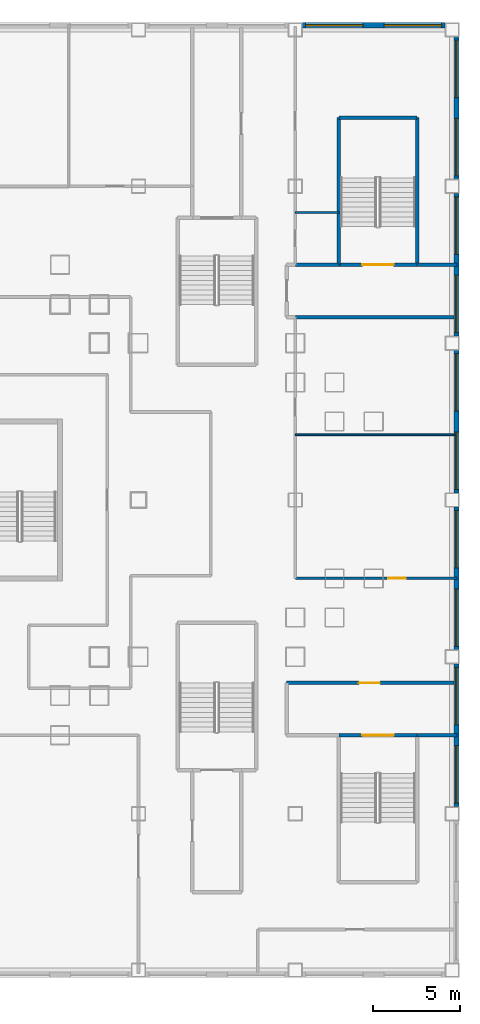
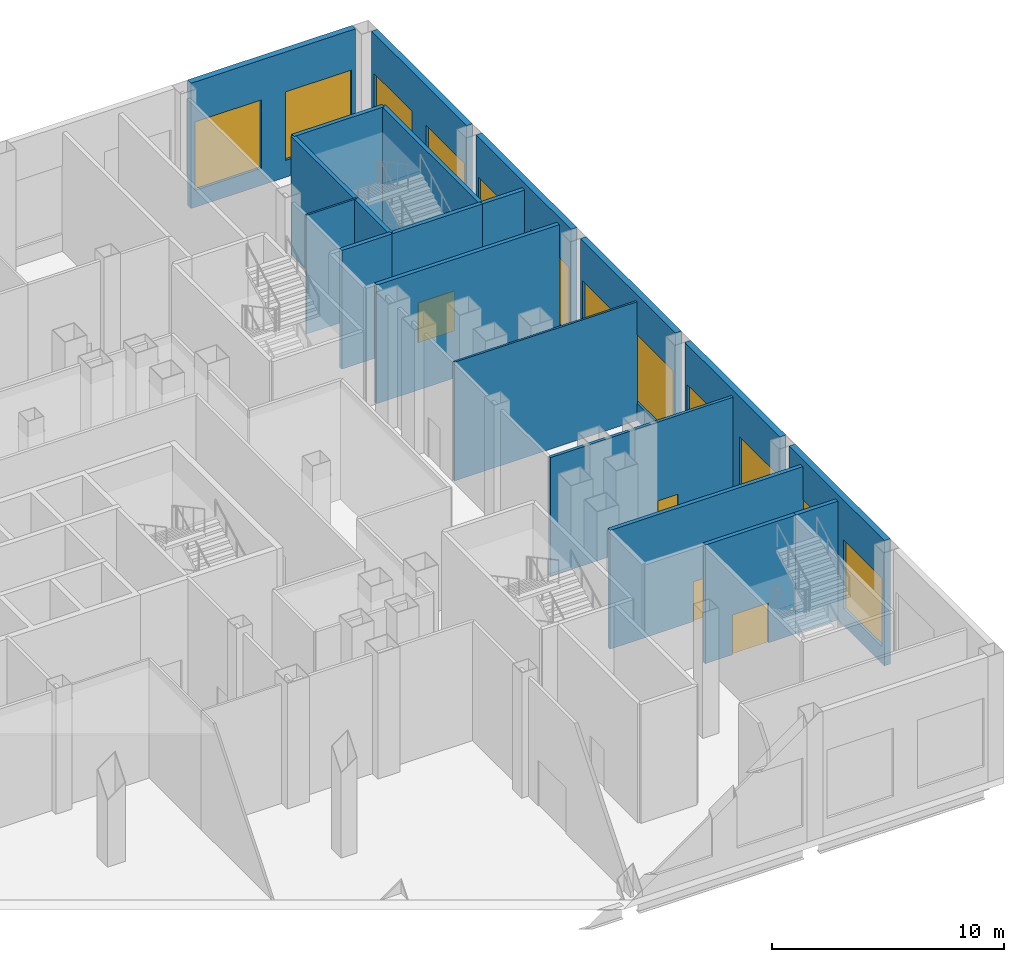
# One storey, part 8 of 26: 20 walls, 12 windows, 4 doors, 16 openings.
"""IFC4 building model written with IfcOpenShell, lengths in metres."""

import ifcopenshell
import ifcopenshell.guid

model = None  # the IFC model being written
_history = None  # IfcOwnerHistory: only IFC2X3 demands one
_inside = {}  # id of a spatial element -> (the spatial element, [elements in it])
_under = {}  # id of a project, library or spatial element -> (it, [spatial elements below it])
_declared = {}  # id of a project -> (the project, [libraries it declares])
_typed = {}  # id of a type object -> (the type object, [elements of that type])
_made_of = {}  # id of a material, layer set ... -> (it, [elements and type objects made of it])


def new_model(schema):
    """Start an empty IFC model of exactly this schema.

    Asked for "IFC4X3", IfcOpenShell would pick the latest addendum, in which some entities
    have other attributes; the version numbers below select the first issue.
    IFC2X3 requires an IfcOwnerHistory on every rooted entity: one is made here for all.
    """
    global model, _history
    if schema == "IFC4X3":
        model = ifcopenshell.file(schema_version=(4, 3, 0, 0))
    else:
        model = ifcopenshell.file(schema=schema)
    _inside.clear()
    _under.clear()
    _declared.clear()
    _typed.clear()
    _made_of.clear()
    _history = None
    if model.schema == "IFC2X3":
        org = make("IfcOrganization", Name="unknown")
        user = make(
            "IfcPersonAndOrganization",
            ThePerson=make("IfcPerson", FamilyName="unknown"),
            TheOrganization=org,
        )
        app = make(
            "IfcApplication",
            ApplicationDeveloper=org,
            Version="unknown",
            ApplicationFullName="unknown",
            ApplicationIdentifier="unknown",
        )
        _history = make(
            "IfcOwnerHistory",
            OwningUser=user,
            OwningApplication=app,
            ChangeAction="ADDED",
            CreationDate=0,
        )
    return model


def make(cls, **values):
    """One entity of the class cls with the attributes given. An attribute that is None is left unset."""
    return model.create_entity(
        cls, **{name: value for name, value in values.items() if value is not None}
    )


def rooted(cls, **values):
    """An entity with a GlobalId (a new one), such as an element, a storey or a relation."""
    return make(cls, GlobalId=ifcopenshell.guid.new(), OwnerHistory=_history, **values)


def si_unit(unit_type, name, prefix=None):
    """IfcSIUnit, for example si_unit("LENGTHUNIT", "METRE", prefix="MILLI")."""
    return make("IfcSIUnit", UnitType=unit_type, Prefix=prefix, Name=name)


def assignment(units):
    """IfcUnitAssignment: the units of a project."""
    return None if units is None else make("IfcUnitAssignment", Units=units)


def point(xyz):
    """IfcCartesianPoint."""
    return None if xyz is None else make("IfcCartesianPoint", Coordinates=xyz)


def direction(xyz):
    """IfcDirection."""
    return None if xyz is None else make("IfcDirection", DirectionRatios=xyz)


def frame(location, z_axis=None, x_axis=None):
    """IfcAxis2Placement3D, a coordinate frame: its origin and axes. An axis left out is left unset."""
    return make(
        "IfcAxis2Placement3D",
        Location=point(location),
        Axis=direction(z_axis),
        RefDirection=direction(x_axis),
    )


def frame_2d(location, x_axis=None):
    """IfcAxis2Placement2D, a coordinate frame in the plane: its origin and x axis."""
    return make(
        "IfcAxis2Placement2D", Location=point(location), RefDirection=direction(x_axis)
    )


def origin():
    """The frame at (0, 0, 0) with its axes left unset."""
    return frame((0.0, 0.0, 0.0))


def place(relative_to, where):
    """IfcLocalPlacement: puts the frame where relative to a parent placement (None: the world)."""
    return make(
        "IfcLocalPlacement", PlacementRelTo=relative_to, RelativePlacement=where
    )


def context(
    kind, dimensions, precision=None, world=None, true_north=None, identifier=None
):
    """IfcGeometricRepresentationContext, for example the 3D "Model" context."""
    return make(
        "IfcGeometricRepresentationContext",
        ContextIdentifier=identifier,
        ContextType=kind,
        CoordinateSpaceDimension=dimensions,
        Precision=precision,
        WorldCoordinateSystem=world,
        TrueNorth=true_north,
    )


def subcontext(parent, identifier, kind, view, scale=None):
    """IfcGeometricRepresentationSubContext, for example "Body" below "Model"."""
    return make(
        "IfcGeometricRepresentationSubContext",
        ContextIdentifier=identifier,
        ContextType=kind,
        ParentContext=parent,
        TargetScale=scale,
        TargetView=view,
    )


def project(units=None, contexts=None):
    """IfcProject with its units and contexts."""
    return rooted(
        "IfcProject",
        Name="project",
        RepresentationContexts=contexts,
        UnitsInContext=assignment(units),
    )


def spatial(cls, under=None, at=None, **own):
    """A site, building, storey or space (cls), placed at a placement, below another one or the project."""
    s = rooted(cls, ObjectPlacement=at, **own)
    if under is not None:
        _under.setdefault(under.id(), (under, []))[1].append(s)
    return s


def profile(cls, at=None, kind="AREA", **sizes):
    """A parametric profile (cls). Its sizes go by their IFC names, for example OverallWidth=200.0."""
    return make(cls, ProfileType=kind, Position=at, **sizes)


def rectangle(**sizes):
    """IfcRectangleProfileDef."""
    return profile("IfcRectangleProfileDef", **sizes)


def extrude(swept, where, along, depth):
    """IfcExtrudedAreaSolid: the profile swept, set in the frame where, extruded along a direction by depth."""
    return make(
        "IfcExtrudedAreaSolid",
        SweptArea=swept,
        Position=where,
        ExtrudedDirection=direction(along),
        Depth=depth,
    )


def shape(context_of_items, identifier, shape_type, items):
    """IfcShapeRepresentation: the items that make up one representation, for example the "Body"."""
    return make(
        "IfcShapeRepresentation",
        ContextOfItems=context_of_items,
        RepresentationIdentifier=identifier,
        RepresentationType=shape_type,
        Items=items,
    )


def material(Name=None, Category=None):
    """IfcMaterial."""
    return make("IfcMaterial", Name=Name, Category=Category)


def layer(
    of_material, thickness, ventilated=None, Name=None, Category=None, Priority=None
):
    """IfcMaterialLayer: one layer of a wall or slab, of a material (None: an air gap)."""
    return make(
        "IfcMaterialLayer",
        Material=of_material,
        LayerThickness=thickness,
        IsVentilated=ventilated,
        Name=Name,
        Category=Category,
        Priority=Priority,
    )


def layer_set(layers, Name=None):
    """IfcMaterialLayerSet."""
    return make("IfcMaterialLayerSet", MaterialLayers=layers, LayerSetName=Name)


def made_of(thing, what):
    """Note that an element or type object is made of a material, layer set ...; save() writes the relation."""
    if what is not None:
        _made_of.setdefault(what.id(), (what, []))[1].append(thing)
    return thing


def type_object(cls, material=None, **own):
    """A type object (cls), such as IfcWallType, which elements share."""
    return made_of(rooted(cls, **own), material)


def element(
    cls,
    number,
    at=None,
    inside=None,
    cuts=None,
    type_object=None,
    material=None,
    context=None,
    identifier="Body",
    shape_type=None,
    held_by="IfcProductDefinitionShape",
    body=None,
    shapes=None,
    **own,
):
    """One element of the class cls, such as IfcWall. Its Tag is "e" and its number.

    at: its placement. inside: the storey or other place that contains it. cuts: it is an
    opening in that element (IfcRelVoidsElement). A single representation is given by context,
    identifier, shape_type and body (its items); several are given by shapes. held_by: the class
    of the entity that holds the representations. save() writes the other relations.
    """
    e = rooted(cls, Tag="e%d" % number, ObjectPlacement=at, **own)
    if body is not None:
        shapes = [shape(context, identifier, shape_type, body)]
    if shapes is not None:
        e.Representation = make(held_by, Representations=shapes)
    if inside is not None:
        _inside.setdefault(inside.id(), (inside, []))[1].append(e)
    if cuts is not None:
        rooted(
            "IfcRelVoidsElement", RelatingBuildingElement=cuts, RelatedOpeningElement=e
        )
    if type_object is not None:
        _typed.setdefault(type_object.id(), (type_object, []))[1].append(e)
    return made_of(e, material)


def fill(opening, filler):
    """IfcRelFillsElement: the door or window that sits in an opening."""
    return rooted(
        "IfcRelFillsElement",
        RelatingOpeningElement=opening,
        RelatedBuildingElement=filler,
    )


def aggregate(whole, parts):
    """IfcRelAggregates: a whole, such as a stair, and the parts it consists of."""
    return rooted("IfcRelAggregates", RelatingObject=whole, RelatedObjects=parts)


def save(model, path):
    """Write the relations noted so far, then the file.

    IfcRelAggregates (storeys below a building ...), IfcRelContainedInSpatialStructure (elements
    in a storey), IfcRelDefinesByType, IfcRelAssociatesMaterial and IfcRelDeclares: one each for
    every whole, place, type object, material and project.
    """
    for whole, parts in _under.values():
        aggregate(whole, parts)
    for where, things in _inside.values():
        rooted(
            "IfcRelContainedInSpatialStructure",
            RelatedElements=things,
            RelatingStructure=where,
        )
    for kind, things in _typed.values():
        rooted("IfcRelDefinesByType", RelatedObjects=things, RelatingType=kind)
    for what, things in _made_of.values():
        rooted("IfcRelAssociatesMaterial", RelatedObjects=things, RelatingMaterial=what)
    for by, libraries in _declared.values():
        rooted("IfcRelDeclares", RelatingContext=by, RelatedDefinitions=libraries)
    model.write(path)


model = new_model("IFC4")

# Units and contexts
model_context = context("Model", 3, precision=1e-05, world=origin(), true_north=direction((0.0, 1.0)))
body_context = subcontext(model_context, "Body", "Model", "MODEL_VIEW")
ifc_project = project(units=[si_unit("LENGTHUNIT", "METRE"), si_unit("AREAUNIT", "SQUARE_METRE"), si_unit("VOLUMEUNIT", "CUBIC_METRE"), si_unit("PLANEANGLEUNIT", "RADIAN"), si_unit("MASSUNIT", "GRAM", prefix="KILO")], contexts=[model_context])

# Site, building, storey
site_placement = place(None, origin())
site = spatial("IfcSite", under=ifc_project, at=site_placement, CompositionType="ELEMENT")
building_placement = place(site_placement, origin())
building = spatial("IfcBuilding", under=site, at=building_placement, Name="Caravel Reach Hotel and Residences", CompositionType="ELEMENT")
storey_placement = place(building_placement, frame((0.0, 0.0, 17.39990234375)))
storey = spatial("IfcBuildingStorey", under=building, at=storey_placement, Name="L03", CompositionType="ELEMENT", Elevation=17.39990234375)

# Wall
ifc_material_1 = material(Name="Autoclaved aerated block wall")
ifc_layer_1 = layer(ifc_material_1, 0.199951171875)
ifc_layer_set_1 = layer_set([ifc_layer_1], Name="Compartment wall 200 mm EI 120")
wall_type_1 = type_object("IfcWallType", Name="Compartment wall 200 mm EI 120", PredefinedType="PARTITIONING", material=ifc_layer_set_1)
wall_1_placement = place(storey_placement, frame((65.5, 13.5, 0.0), z_axis=(0.0, 0.0, 1.0), x_axis=(1.0, 0.0, 0.0)))
element("IfcWall", 1, at=wall_1_placement, inside=storey, type_object=wall_type_1, Name="L03 wall w071", PredefinedType="PARTITIONING", context=body_context, shape_type="SweptSolid", body=[
    extrude(rectangle(XDim=2.2900390625, YDim=0.199951171875, at=frame_2d((1.14501953125, 0.0))), origin(), (0.0, 0.0, 1.0), 6.25),
])

# Wall, opening, door
wall_2_placement = place(storey_placement, frame((58.0, 16.5, 0.0), z_axis=(0.0, 0.0, 1.0), x_axis=(1.0, 0.0, 0.0)))
wall_2 = element("IfcWall", 2, at=wall_2_placement, inside=storey, type_object=wall_type_1, Name="L03 wall w072", PredefinedType="PARTITIONING", context=body_context, shape_type="SweptSolid", body=[
    extrude(rectangle(XDim=9.6201171875, YDim=0.199951171875, at=frame_2d((4.81005859375, 0.0))), origin(), (0.0, 0.0, 1.0), 6.25),
])
opening_1_placement = place(wall_2_placement, frame((4.14990234375, 0.0, 0.0)))
opening_1 = element("IfcOpeningElement", 3, at=opening_1_placement, cuts=wall_2, Name="Opening D03-026", PredefinedType="OPENING", context=body_context, shape_type="SweptSolid", body=[
    extrude(rectangle(XDim=1.199951171875, YDim=2.10009765625, at=frame_2d((0.60009765625, 1.050048828125))), frame((0.0, 0.10986328125, 0.0), z_axis=(0.0, -1.0, 0.0), x_axis=(1.0, 0.0, 0.0)), (0.0, 0.0, 1.0), 0.219970703125),
])
ifc_material_2 = material(Name="Steel fire door leaf", Category="steel")
door_type_1 = type_object("IfcDoorType", Name="Fire lobby door 1200 x 2100 EI 90", OperationType="SINGLE_SWING_LEFT", PredefinedType="DOOR", material=ifc_material_2)
door_1_placement = place(opening_1_placement, origin())
door_1 = element("IfcDoor", 4, at=door_1_placement, inside=storey, type_object=door_type_1, Name="door D03-026", OperationType="SINGLE_SWING_LEFT", OverallHeight=2.10009765625, OverallWidth=1.199951171875, PredefinedType="DOOR", context=body_context, shape_type="SweptSolid", body=[
    extrude(rectangle(XDim=1.199951171875, YDim=2.10009765625, at=frame_2d((0.60009765625, 1.050048828125))), frame((0.0, 0.02490234375, 0.0), z_axis=(0.0, -1.0, 0.0), x_axis=(1.0, 0.0, 0.0)), (0.0, 0.0, 1.0), 0.050048828125),
])
fill(opening_1, door_1)

# Walls
wall_3_placement = place(storey_placement, frame((58.5, 37.5, 0.0), z_axis=(0.0, 0.0, 1.0), x_axis=(1.0, 0.0, 0.0)))
element("IfcWall", 5, at=wall_3_placement, inside=storey, type_object=wall_type_1, Name="L03 wall w076", PredefinedType="PARTITIONING", context=body_context, shape_type="SweptSolid", body=[
    extrude(rectangle(XDim=9.1201171875, YDim=0.199951171875, at=frame_2d((4.56005859375, 0.0))), origin(), (0.0, 0.0, 1.0), 6.25),
])
wall_4_placement = place(storey_placement, frame((58.5, 40.5, 0.0), z_axis=(0.0, 0.0, 1.0), x_axis=(1.0, 0.0, 0.0)))
element("IfcWall", 6, at=wall_4_placement, inside=storey, type_object=wall_type_1, Name="L03 wall w082", PredefinedType="PARTITIONING", context=body_context, shape_type="SweptSolid", body=[
    extrude(rectangle(XDim=2.5, YDim=0.199951171875, at=frame_2d((1.25, 0.0))), origin(), (0.0, 0.0, 1.0), 6.25),
])
wall_5_placement = place(storey_placement, frame((65.5, 40.5, 0.0), z_axis=(0.0, 0.0, 1.0), x_axis=(1.0, 0.0, 0.0)))
element("IfcWall", 7, at=wall_5_placement, inside=storey, type_object=wall_type_1, Name="L03 wall w083", PredefinedType="PARTITIONING", context=body_context, shape_type="SweptSolid", body=[
    extrude(rectangle(XDim=2.2900390625, YDim=0.199951171875, at=frame_2d((1.14501953125, 0.0))), origin(), (0.0, 0.0, 1.0), 6.25),
])

# Wall, opening, door
ifc_material_3 = material(Name="Gypsum board on steel stud, fire-rated", Category="steel")
ifc_layer_2 = layer(ifc_material_3, 0.14990234375)
ifc_layer_set_2 = layer_set([ifc_layer_2], Name="Corridor wall 150 mm EI 60")
wall_type_2 = type_object("IfcWallType", Name="Corridor wall 150 mm EI 60", PredefinedType="PARTITIONING", material=ifc_layer_set_2)
wall_6_placement = place(storey_placement, frame((58.5, 22.5, 0.0), z_axis=(0.0, 0.0, 1.0), x_axis=(1.0, 0.0, 0.0)))
wall_6 = element("IfcWall", 8, at=wall_6_placement, inside=storey, type_object=wall_type_2, Name="L03 wall w010", PredefinedType="PARTITIONING", context=body_context, shape_type="SweptSolid", body=[
    extrude(rectangle(XDim=9.2900390625, YDim=0.14990234375, at=frame_2d((4.64501953125, 0.0))), origin(), (0.0, 0.0, 1.0), 6.25),
])
opening_2_placement = place(wall_6_placement, frame((5.35009765625, 0.0, 0.0)))
opening_2 = element("IfcOpeningElement", 9, at=opening_2_placement, cuts=wall_6, Name="Opening D03-029", PredefinedType="OPENING", context=body_context, shape_type="SweptSolid", body=[
    extrude(rectangle(XDim=1.0, YDim=2.10009765625, at=frame_2d((0.5, 1.050048828125))), frame((0.0, 0.0849609375, 0.0), z_axis=(0.0, -1.0, 0.0), x_axis=(1.0, 0.0, 0.0)), (0.0, 0.0, 1.0), 0.169921875),
])
ifc_material_4 = material(Name="Steel fire door leaf", Category="steel")
door_type_2 = type_object("IfcDoorType", Name="Fire door 1000 x 2100 EI 60", OperationType="SINGLE_SWING_LEFT", PredefinedType="DOOR", material=ifc_material_4)
door_2_placement = place(opening_2_placement, origin())
door_2 = element("IfcDoor", 10, at=door_2_placement, inside=storey, type_object=door_type_2, Name="door D03-029", OperationType="SINGLE_SWING_RIGHT", OverallHeight=2.10009765625, OverallWidth=1.0, PredefinedType="DOOR", context=body_context, shape_type="SweptSolid", body=[
    extrude(rectangle(XDim=1.0, YDim=2.10009765625, at=frame_2d((0.5, 1.050048828125))), frame((0.0, 0.02490234375, 0.0), z_axis=(0.0, -1.0, 0.0), x_axis=(1.0, 0.0, 0.0)), (0.0, 0.0, 1.0), 0.050048828125),
])
fill(opening_2, door_2)

# Wall, openings, windows
ifc_material_5 = material(Name="Insulated wall, stone cladding", Category="masonry")
ifc_layer_3 = layer(ifc_material_5, 0.300048828125)
ifc_layer_set_3 = layer_set([ifc_layer_3], Name="EW2 Podium stone-clad wall")
wall_type_3 = type_object("IfcWallType", Name="EW2 Podium stone-clad wall", PredefinedType="SOLIDWALL", material=ifc_layer_set_3)
wall_7_placement = place(storey_placement, frame((67.75, 9.39990234375, 0.0), z_axis=(0.0, 0.0, 1.0), x_axis=(0.0, 1.0, 0.0)))
wall_7 = element("IfcWall", 11, at=wall_7_placement, inside=storey, type_object=wall_type_3, Name="External wall L03 E1.2", PredefinedType="SOLIDWALL", context=body_context, shape_type="SweptSolid", body=[
    extrude(rectangle(XDim=8.2001953125, YDim=0.300048828125, at=frame_2d((4.10009765625, 0.0))), origin(), (0.0, 0.0, 1.0), 6.60009765625),
])
opening_3_placement = place(wall_7_placement, frame((0.199951171875, 0.0, 0.89990234375)))
opening_3 = element("IfcOpeningElement", 12, at=opening_3_placement, cuts=wall_7, Name="Opening WN31", PredefinedType="OPENING", context=body_context, shape_type="SweptSolid", body=[
    extrude(rectangle(XDim=3.300048828125, YDim=3.60009765625, at=frame_2d((1.64990234375, 1.800048828125))), frame((0.0, 0.159912109375, 0.0), z_axis=(0.0, -1.0, 0.0), x_axis=(1.0, 0.0, 0.0)), (0.0, 0.0, 1.0), 0.320068359375),
])
opening_4_placement = place(wall_7_placement, frame((4.699951171875, 0.0, 0.89990234375)))
opening_4 = element("IfcOpeningElement", 13, at=opening_4_placement, cuts=wall_7, Name="Opening WN31", PredefinedType="OPENING", context=body_context, shape_type="SweptSolid", body=[
    extrude(rectangle(XDim=3.300048828125, YDim=3.60009765625, at=frame_2d((1.64990234375, 1.800048828125))), frame((0.0, 0.159912109375, 0.0), z_axis=(0.0, -1.0, 0.0), x_axis=(1.0, 0.0, 0.0)), (0.0, 0.0, 1.0), 0.320068359375),
])
ifc_material_6 = material(Name="Dark low-e glazing in black aluminium frame", Category="aluminium")
window_type = type_object("IfcWindowType", Name="Podium window 3300 x 3600", PartitioningType="SINGLE_PANEL", PredefinedType="WINDOW", material=ifc_material_6)
window_1_placement = place(opening_3_placement, origin())
window_1 = element("IfcWindow", 14, at=window_1_placement, inside=storey, type_object=window_type, Name="Window L03 E1.2.1", OverallHeight=3.60009765625, OverallWidth=3.300048828125, PartitioningType="SINGLE_PANEL", PredefinedType="WINDOW", context=body_context, shape_type="SweptSolid", body=[
    extrude(rectangle(XDim=3.300048828125, YDim=3.60009765625, at=frame_2d((1.64990234375, 1.800048828125))), frame((0.0, 0.030029296875, 0.0), z_axis=(0.0, -1.0, 0.0), x_axis=(1.0, 0.0, 0.0)), (0.0, 0.0, 1.0), 0.06005859375),
])
fill(opening_3, window_1)
window_2_placement = place(opening_4_placement, origin())
window_2 = element("IfcWindow", 15, at=window_2_placement, inside=storey, type_object=window_type, Name="Window L03 E1.2.2", OverallHeight=3.60009765625, OverallWidth=3.300048828125, PartitioningType="SINGLE_PANEL", PredefinedType="WINDOW", context=body_context, shape_type="SweptSolid", body=[
    extrude(rectangle(XDim=3.300048828125, YDim=3.60009765625, at=frame_2d((1.64990234375, 1.800048828125))), frame((0.0, 0.030029296875, 0.0), z_axis=(0.0, -1.0, 0.0), x_axis=(1.0, 0.0, 0.0)), (0.0, 0.0, 1.0), 0.06005859375),
])
fill(opening_4, window_2)

wall_8_placement = place(storey_placement, frame((67.75, 18.39990234375, 0.0), z_axis=(0.0, 0.0, 1.0), x_axis=(0.0, 1.0, 0.0)))
wall_8 = element("IfcWall", 16, at=wall_8_placement, inside=storey, type_object=wall_type_3, Name="External wall L03 E1.3", PredefinedType="SOLIDWALL", context=body_context, shape_type="SweptSolid", body=[
    extrude(rectangle(XDim=8.2001953125, YDim=0.300048828125, at=frame_2d((4.10009765625, 0.0))), origin(), (0.0, 0.0, 1.0), 6.60009765625),
])
opening_5_placement = place(wall_8_placement, frame((0.199951171875, 0.0, 0.89990234375)))
opening_5 = element("IfcOpeningElement", 17, at=opening_5_placement, cuts=wall_8, Name="Opening WN31", PredefinedType="OPENING", context=body_context, shape_type="SweptSolid", body=[
    extrude(rectangle(XDim=3.300048828125, YDim=3.60009765625, at=frame_2d((1.64990234375, 1.800048828125))), frame((0.0, 0.159912109375, 0.0), z_axis=(0.0, -1.0, 0.0), x_axis=(1.0, 0.0, 0.0)), (0.0, 0.0, 1.0), 0.320068359375),
])
opening_6_placement = place(wall_8_placement, frame((4.699951171875, 0.0, 0.89990234375)))
opening_6 = element("IfcOpeningElement", 18, at=opening_6_placement, cuts=wall_8, Name="Opening WN31", PredefinedType="OPENING", context=body_context, shape_type="SweptSolid", body=[
    extrude(rectangle(XDim=3.300048828125, YDim=3.60009765625, at=frame_2d((1.64990234375, 1.800048828125))), frame((0.0, 0.159912109375, 0.0), z_axis=(0.0, -1.0, 0.0), x_axis=(1.0, 0.0, 0.0)), (0.0, 0.0, 1.0), 0.320068359375),
])
window_3_placement = place(opening_5_placement, origin())
window_3 = element("IfcWindow", 19, at=window_3_placement, inside=storey, type_object=window_type, Name="Window L03 E1.3.1", OverallHeight=3.60009765625, OverallWidth=3.300048828125, PartitioningType="SINGLE_PANEL", PredefinedType="WINDOW", context=body_context, shape_type="SweptSolid", body=[
    extrude(rectangle(XDim=3.300048828125, YDim=3.60009765625, at=frame_2d((1.64990234375, 1.800048828125))), frame((0.0, 0.030029296875, 0.0), z_axis=(0.0, -1.0, 0.0), x_axis=(1.0, 0.0, 0.0)), (0.0, 0.0, 1.0), 0.06005859375),
])
fill(opening_5, window_3)
window_4_placement = place(opening_6_placement, origin())
window_4 = element("IfcWindow", 20, at=window_4_placement, inside=storey, type_object=window_type, Name="Window L03 E1.3.2", OverallHeight=3.60009765625, OverallWidth=3.300048828125, PartitioningType="SINGLE_PANEL", PredefinedType="WINDOW", context=body_context, shape_type="SweptSolid", body=[
    extrude(rectangle(XDim=3.300048828125, YDim=3.60009765625, at=frame_2d((1.64990234375, 1.800048828125))), frame((0.0, 0.030029296875, 0.0), z_axis=(0.0, -1.0, 0.0), x_axis=(1.0, 0.0, 0.0)), (0.0, 0.0, 1.0), 0.06005859375),
])
fill(opening_6, window_4)

wall_9_placement = place(storey_placement, frame((67.75, 27.39990234375, 0.0), z_axis=(0.0, 0.0, 1.0), x_axis=(0.0, 1.0, 0.0)))
wall_9 = element("IfcWall", 21, at=wall_9_placement, inside=storey, type_object=wall_type_3, Name="External wall L03 E1.4", PredefinedType="SOLIDWALL", context=body_context, shape_type="SweptSolid", body=[
    extrude(rectangle(XDim=8.2001953125, YDim=0.300048828125, at=frame_2d((4.10009765625, 0.0))), origin(), (0.0, 0.0, 1.0), 6.60009765625),
])
opening_7_placement = place(wall_9_placement, frame((0.199951171875, 0.0, 0.89990234375)))
opening_7 = element("IfcOpeningElement", 22, at=opening_7_placement, cuts=wall_9, Name="Opening WN31", PredefinedType="OPENING", context=body_context, shape_type="SweptSolid", body=[
    extrude(rectangle(XDim=3.300048828125, YDim=3.60009765625, at=frame_2d((1.64990234375, 1.800048828125))), frame((0.0, 0.159912109375, 0.0), z_axis=(0.0, -1.0, 0.0), x_axis=(1.0, 0.0, 0.0)), (0.0, 0.0, 1.0), 0.320068359375),
])
opening_8_placement = place(wall_9_placement, frame((4.699951171875, 0.0, 0.89990234375)))
opening_8 = element("IfcOpeningElement", 23, at=opening_8_placement, cuts=wall_9, Name="Opening WN31", PredefinedType="OPENING", context=body_context, shape_type="SweptSolid", body=[
    extrude(rectangle(XDim=3.300048828125, YDim=3.60009765625, at=frame_2d((1.64990234375, 1.800048828125))), frame((0.0, 0.159912109375, 0.0), z_axis=(0.0, -1.0, 0.0), x_axis=(1.0, 0.0, 0.0)), (0.0, 0.0, 1.0), 0.320068359375),
])
window_5_placement = place(opening_7_placement, origin())
window_5 = element("IfcWindow", 24, at=window_5_placement, inside=storey, type_object=window_type, Name="Window L03 E1.4.1", OverallHeight=3.60009765625, OverallWidth=3.300048828125, PartitioningType="SINGLE_PANEL", PredefinedType="WINDOW", context=body_context, shape_type="SweptSolid", body=[
    extrude(rectangle(XDim=3.300048828125, YDim=3.60009765625, at=frame_2d((1.64990234375, 1.800048828125))), frame((0.0, 0.030029296875, 0.0), z_axis=(0.0, -1.0, 0.0), x_axis=(1.0, 0.0, 0.0)), (0.0, 0.0, 1.0), 0.06005859375),
])
fill(opening_7, window_5)
window_6_placement = place(opening_8_placement, origin())
window_6 = element("IfcWindow", 25, at=window_6_placement, inside=storey, type_object=window_type, Name="Window L03 E1.4.2", OverallHeight=3.60009765625, OverallWidth=3.300048828125, PartitioningType="SINGLE_PANEL", PredefinedType="WINDOW", context=body_context, shape_type="SweptSolid", body=[
    extrude(rectangle(XDim=3.300048828125, YDim=3.60009765625, at=frame_2d((1.64990234375, 1.800048828125))), frame((0.0, 0.030029296875, 0.0), z_axis=(0.0, -1.0, 0.0), x_axis=(1.0, 0.0, 0.0)), (0.0, 0.0, 1.0), 0.06005859375),
])
fill(opening_8, window_6)

wall_10_placement = place(storey_placement, frame((67.75, 36.39990234375, 0.0), z_axis=(0.0, 0.0, 1.0), x_axis=(0.0, 1.0, 0.0)))
wall_10 = element("IfcWall", 26, at=wall_10_placement, inside=storey, type_object=wall_type_3, Name="External wall L03 E1.5", PredefinedType="SOLIDWALL", context=body_context, shape_type="SweptSolid", body=[
    extrude(rectangle(XDim=8.2001953125, YDim=0.300048828125, at=frame_2d((4.10009765625, 0.0))), origin(), (0.0, 0.0, 1.0), 6.60009765625),
])
opening_9_placement = place(wall_10_placement, frame((0.199951171875, 0.0, 0.89990234375)))
opening_9 = element("IfcOpeningElement", 27, at=opening_9_placement, cuts=wall_10, Name="Opening WN31", PredefinedType="OPENING", context=body_context, shape_type="SweptSolid", body=[
    extrude(rectangle(XDim=3.300048828125, YDim=3.60009765625, at=frame_2d((1.64990234375, 1.800048828125))), frame((0.0, 0.159912109375, 0.0), z_axis=(0.0, -1.0, 0.0), x_axis=(1.0, 0.0, 0.0)), (0.0, 0.0, 1.0), 0.320068359375),
])
opening_10_placement = place(wall_10_placement, frame((4.699951171875, 0.0, 0.89990234375)))
opening_10 = element("IfcOpeningElement", 28, at=opening_10_placement, cuts=wall_10, Name="Opening WN31", PredefinedType="OPENING", context=body_context, shape_type="SweptSolid", body=[
    extrude(rectangle(XDim=3.300048828125, YDim=3.60009765625, at=frame_2d((1.64990234375, 1.800048828125))), frame((0.0, 0.159912109375, 0.0), z_axis=(0.0, -1.0, 0.0), x_axis=(1.0, 0.0, 0.0)), (0.0, 0.0, 1.0), 0.320068359375),
])
window_7_placement = place(opening_9_placement, origin())
window_7 = element("IfcWindow", 29, at=window_7_placement, inside=storey, type_object=window_type, Name="Window L03 E1.5.1", OverallHeight=3.60009765625, OverallWidth=3.300048828125, PartitioningType="SINGLE_PANEL", PredefinedType="WINDOW", context=body_context, shape_type="SweptSolid", body=[
    extrude(rectangle(XDim=3.300048828125, YDim=3.60009765625, at=frame_2d((1.64990234375, 1.800048828125))), frame((0.0, 0.030029296875, 0.0), z_axis=(0.0, -1.0, 0.0), x_axis=(1.0, 0.0, 0.0)), (0.0, 0.0, 1.0), 0.06005859375),
])
fill(opening_9, window_7)
window_8_placement = place(opening_10_placement, origin())
window_8 = element("IfcWindow", 30, at=window_8_placement, inside=storey, type_object=window_type, Name="Window L03 E1.5.2", OverallHeight=3.60009765625, OverallWidth=3.300048828125, PartitioningType="SINGLE_PANEL", PredefinedType="WINDOW", context=body_context, shape_type="SweptSolid", body=[
    extrude(rectangle(XDim=3.300048828125, YDim=3.60009765625, at=frame_2d((1.64990234375, 1.800048828125))), frame((0.0, 0.030029296875, 0.0), z_axis=(0.0, -1.0, 0.0), x_axis=(1.0, 0.0, 0.0)), (0.0, 0.0, 1.0), 0.06005859375),
])
fill(opening_10, window_8)

wall_11_placement = place(storey_placement, frame((67.75, 45.39990234375, 0.0), z_axis=(0.0, 0.0, 1.0), x_axis=(0.0, 1.0, 0.0)))
wall_11 = element("IfcWall", 31, at=wall_11_placement, inside=storey, type_object=wall_type_3, Name="External wall L03 E1.6", PredefinedType="SOLIDWALL", context=body_context, shape_type="SweptSolid", body=[
    extrude(rectangle(XDim=8.2001953125, YDim=0.300048828125, at=frame_2d((4.10009765625, 0.0))), origin(), (0.0, 0.0, 1.0), 6.60009765625),
])
opening_11_placement = place(wall_11_placement, frame((0.199951171875, 0.0, 0.89990234375)))
opening_11 = element("IfcOpeningElement", 32, at=opening_11_placement, cuts=wall_11, Name="Opening WN31", PredefinedType="OPENING", context=body_context, shape_type="SweptSolid", body=[
    extrude(rectangle(XDim=3.300048828125, YDim=3.60009765625, at=frame_2d((1.64990234375, 1.800048828125))), frame((0.0, 0.159912109375, 0.0), z_axis=(0.0, -1.0, 0.0), x_axis=(1.0, 0.0, 0.0)), (0.0, 0.0, 1.0), 0.320068359375),
])
opening_12_placement = place(wall_11_placement, frame((4.699951171875, 0.0, 0.89990234375)))
opening_12 = element("IfcOpeningElement", 33, at=opening_12_placement, cuts=wall_11, Name="Opening WN31", PredefinedType="OPENING", context=body_context, shape_type="SweptSolid", body=[
    extrude(rectangle(XDim=3.300048828125, YDim=3.60009765625, at=frame_2d((1.64990234375, 1.800048828125))), frame((0.0, 0.159912109375, 0.0), z_axis=(0.0, -1.0, 0.0), x_axis=(1.0, 0.0, 0.0)), (0.0, 0.0, 1.0), 0.320068359375),
])
window_9_placement = place(opening_11_placement, origin())
window_9 = element("IfcWindow", 34, at=window_9_placement, inside=storey, type_object=window_type, Name="Window L03 E1.6.1", OverallHeight=3.60009765625, OverallWidth=3.300048828125, PartitioningType="SINGLE_PANEL", PredefinedType="WINDOW", context=body_context, shape_type="SweptSolid", body=[
    extrude(rectangle(XDim=3.300048828125, YDim=3.60009765625, at=frame_2d((1.64990234375, 1.800048828125))), frame((0.0, 0.030029296875, 0.0), z_axis=(0.0, -1.0, 0.0), x_axis=(1.0, 0.0, 0.0)), (0.0, 0.0, 1.0), 0.06005859375),
])
fill(opening_11, window_9)
window_10_placement = place(opening_12_placement, origin())
window_10 = element("IfcWindow", 35, at=window_10_placement, inside=storey, type_object=window_type, Name="Window L03 E1.6.2", OverallHeight=3.60009765625, OverallWidth=3.300048828125, PartitioningType="SINGLE_PANEL", PredefinedType="WINDOW", context=body_context, shape_type="SweptSolid", body=[
    extrude(rectangle(XDim=3.300048828125, YDim=3.60009765625, at=frame_2d((1.64990234375, 1.800048828125))), frame((0.0, 0.030029296875, 0.0), z_axis=(0.0, -1.0, 0.0), x_axis=(1.0, 0.0, 0.0)), (0.0, 0.0, 1.0), 0.06005859375),
])
fill(opening_12, window_10)

wall_12_placement = place(storey_placement, frame((67.10009765625, 54.25, 0.0), z_axis=(0.0, 0.0, 1.0), x_axis=(-1.0, 0.0, 0.0)))
wall_12 = element("IfcWall", 36, at=wall_12_placement, inside=storey, type_object=wall_type_3, Name="External wall L03 N2.1", PredefinedType="SOLIDWALL", context=body_context, shape_type="SweptSolid", body=[
    extrude(rectangle(XDim=8.2001953125, YDim=0.300048828125, at=frame_2d((4.10009765625, 0.0))), origin(), (0.0, 0.0, 1.0), 6.60009765625),
])
opening_13_placement = place(wall_12_placement, frame((0.199951171875, 0.0, 0.89990234375)))
opening_13 = element("IfcOpeningElement", 37, at=opening_13_placement, cuts=wall_12, Name="Opening WN31", PredefinedType="OPENING", context=body_context, shape_type="SweptSolid", body=[
    extrude(rectangle(XDim=3.300048828125, YDim=3.60009765625, at=frame_2d((1.64990234375, 1.800048828125))), frame((0.0, 0.159912109375, 0.0), z_axis=(0.0, -1.0, 0.0), x_axis=(1.0, 0.0, 0.0)), (0.0, 0.0, 1.0), 0.320068359375),
])
opening_14_placement = place(wall_12_placement, frame((4.699951171875, 0.0, 0.89990234375)))
opening_14 = element("IfcOpeningElement", 38, at=opening_14_placement, cuts=wall_12, Name="Opening WN31", PredefinedType="OPENING", context=body_context, shape_type="SweptSolid", body=[
    extrude(rectangle(XDim=3.300048828125, YDim=3.60009765625, at=frame_2d((1.64990234375, 1.800048828125))), frame((0.0, 0.159912109375, 0.0), z_axis=(0.0, -1.0, 0.0), x_axis=(1.0, 0.0, 0.0)), (0.0, 0.0, 1.0), 0.320068359375),
])
window_11_placement = place(opening_13_placement, origin())
window_11 = element("IfcWindow", 39, at=window_11_placement, inside=storey, type_object=window_type, Name="Window L03 N2.1.1", OverallHeight=3.60009765625, OverallWidth=3.300048828125, PartitioningType="SINGLE_PANEL", PredefinedType="WINDOW", context=body_context, shape_type="SweptSolid", body=[
    extrude(rectangle(XDim=3.300048828125, YDim=3.60009765625, at=frame_2d((1.64990234375, 1.800048828125))), frame((0.0, 0.030029296875, 0.0), z_axis=(0.0, -1.0, 0.0), x_axis=(1.0, 0.0, 0.0)), (0.0, 0.0, 1.0), 0.06005859375),
])
fill(opening_13, window_11)
window_12_placement = place(opening_14_placement, origin())
window_12 = element("IfcWindow", 40, at=window_12_placement, inside=storey, type_object=window_type, Name="Window L03 N2.1.2", OverallHeight=3.60009765625, OverallWidth=3.300048828125, PartitioningType="SINGLE_PANEL", PredefinedType="WINDOW", context=body_context, shape_type="SweptSolid", body=[
    extrude(rectangle(XDim=3.300048828125, YDim=3.60009765625, at=frame_2d((1.64990234375, 1.800048828125))), frame((0.0, 0.030029296875, 0.0), z_axis=(0.0, -1.0, 0.0), x_axis=(1.0, 0.0, 0.0)), (0.0, 0.0, 1.0), 0.06005859375),
])
fill(opening_14, window_12)

# Walls
ifc_material_7 = material(Name="Gypsum board on steel stud", Category="steel")
ifc_layer_4 = layer(ifc_material_7, 0.10009765625)
ifc_layer_set_4 = layer_set([ifc_layer_4], Name="Partition 100 mm")
wall_type_4 = type_object("IfcWallType", Name="Partition 100 mm", PredefinedType="PARTITIONING", material=ifc_layer_set_4)
wall_13_placement = place(storey_placement, frame((58.5, 30.75, 0.0), z_axis=(0.0, 0.0, 1.0), x_axis=(1.0, 0.0, 0.0)))
element("IfcWall", 41, at=wall_13_placement, inside=storey, type_object=wall_type_4, Name="L03 wall w062", PredefinedType="PARTITIONING", context=body_context, shape_type="SweptSolid", body=[
    extrude(rectangle(XDim=9.1201171875, YDim=0.10009765625, at=frame_2d((4.56005859375, 0.0))), origin(), (0.0, 0.0, 1.0), 6.25),
])
wall_14_placement = place(storey_placement, frame((58.5, 43.5, 0.0), z_axis=(0.0, 0.0, 1.0), x_axis=(1.0, 0.0, 0.0)))
element("IfcWall", 42, at=wall_14_placement, inside=storey, type_object=wall_type_4, Name="L03 wall w063", PredefinedType="PARTITIONING", context=body_context, shape_type="SweptSolid", body=[
    extrude(rectangle(XDim=2.5, YDim=0.10009765625, at=frame_2d((1.25, 0.0))), origin(), (0.0, 0.0, 1.0), 6.25),
])

# Wall, opening, door
ifc_material_8 = material(Name="Concrete C60", Category="concrete")
ifc_layer_5 = layer(ifc_material_8, 0.199951171875)
ifc_layer_set_5 = layer_set([ifc_layer_5], Name="Stair enclosure wall 200 mm EI 120")
wall_type_5 = type_object("IfcWallType", Name="Stair enclosure wall 200 mm EI 120", PredefinedType="SHEAR", material=ifc_layer_set_5)
wall_15_placement = place(storey_placement, frame((61.0, 13.5, 0.0), z_axis=(0.0, 0.0, 1.0), x_axis=(1.0, 0.0, 0.0)))
wall_15 = element("IfcWall", 43, at=wall_15_placement, inside=storey, type_object=wall_type_5, Name="L03 wall w105", PredefinedType="SHEAR", context=body_context, shape_type="SweptSolid", body=[
    extrude(rectangle(XDim=4.5, YDim=0.199951171875, at=frame_2d((2.25, 0.0))), origin(), (0.0, 0.0, 1.0), 6.25),
])
opening_15_placement = place(wall_15_placement, frame((1.35009765625, 0.0, 0.0)))
opening_15 = element("IfcOpeningElement", 44, at=opening_15_placement, cuts=wall_15, Name="Opening D03-027", PredefinedType="OPENING", context=body_context, shape_type="SweptSolid", body=[
    extrude(rectangle(XDim=1.800048828125, YDim=2.10009765625, at=frame_2d((0.89990234375, 1.050048828125))), frame((0.0, 0.10986328125, 0.0), z_axis=(0.0, -1.0, 0.0), x_axis=(1.0, 0.0, 0.0)), (0.0, 0.0, 1.0), 0.219970703125),
])
ifc_material_9 = material(Name="Steel fire door leaf", Category="steel")
door_type_3 = type_object("IfcDoorType", Name="Stair door pair 1800 x 2100 EI 90", OperationType="DOUBLE_DOOR_SINGLE_SWING", PredefinedType="DOOR", material=ifc_material_9)
door_3_placement = place(opening_15_placement, origin())
door_3 = element("IfcDoor", 45, at=door_3_placement, inside=storey, type_object=door_type_3, Name="door D03-027", OperationType="DOUBLE_DOOR_SINGLE_SWING", OverallHeight=2.10009765625, OverallWidth=1.800048828125, PredefinedType="DOOR", context=body_context, shape_type="SweptSolid", body=[
    extrude(rectangle(XDim=1.800048828125, YDim=2.10009765625, at=frame_2d((0.89990234375, 1.050048828125))), frame((0.0, 0.02490234375, 0.0), z_axis=(0.0, -1.0, 0.0), x_axis=(1.0, 0.0, 0.0)), (0.0, 0.0, 1.0), 0.050048828125),
])
fill(opening_15, door_3)

wall_16_placement = place(storey_placement, frame((61.0, 40.5, 0.0), z_axis=(0.0, 0.0, 1.0), x_axis=(1.0, 0.0, 0.0)))
wall_16 = element("IfcWall", 46, at=wall_16_placement, inside=storey, type_object=wall_type_5, Name="L03 wall w111", PredefinedType="SHEAR", context=body_context, shape_type="SweptSolid", body=[
    extrude(rectangle(XDim=4.5, YDim=0.199951171875, at=frame_2d((2.25, 0.0))), origin(), (0.0, 0.0, 1.0), 6.25),
])
opening_16_placement = place(wall_16_placement, frame((1.35009765625, 0.0, 0.0)))
opening_16 = element("IfcOpeningElement", 47, at=opening_16_placement, cuts=wall_16, Name="Opening D03-025", PredefinedType="OPENING", context=body_context, shape_type="SweptSolid", body=[
    extrude(rectangle(XDim=1.800048828125, YDim=2.10009765625, at=frame_2d((0.89990234375, 1.050048828125))), frame((0.0, 0.10986328125, 0.0), z_axis=(0.0, -1.0, 0.0), x_axis=(1.0, 0.0, 0.0)), (0.0, 0.0, 1.0), 0.219970703125),
])
door_4_placement = place(opening_16_placement, origin())
door_4 = element("IfcDoor", 48, at=door_4_placement, inside=storey, type_object=door_type_3, Name="door D03-025", OperationType="DOUBLE_DOOR_SINGLE_SWING", OverallHeight=2.10009765625, OverallWidth=1.800048828125, PredefinedType="DOOR", context=body_context, shape_type="SweptSolid", body=[
    extrude(rectangle(XDim=1.800048828125, YDim=2.10009765625, at=frame_2d((0.89990234375, 1.050048828125))), frame((0.0, 0.02490234375, 0.0), z_axis=(0.0, -1.0, 0.0), x_axis=(1.0, 0.0, 0.0)), (0.0, 0.0, 1.0), 0.050048828125),
])
fill(opening_16, door_4)

# Walls
wall_17_placement = place(storey_placement, frame((61.0, 48.949951171875, 0.0), z_axis=(0.0, 0.0, 1.0), x_axis=(1.0, 0.0, 0.0)))
element("IfcWall", 49, at=wall_17_placement, inside=storey, type_object=wall_type_5, Name="L03 wall w119", PredefinedType="SHEAR", context=body_context, shape_type="SweptSolid", body=[
    extrude(rectangle(XDim=4.5, YDim=0.199951171875, at=frame_2d((2.25, 0.0))), origin(), (0.0, 0.0, 1.0), 6.25),
])
wall_18_placement = place(storey_placement, frame((61.0, 40.5, 0.0), z_axis=(0.0, 0.0, 1.0), x_axis=(0.0, 1.0, 0.0)))
element("IfcWall", 50, at=wall_18_placement, inside=storey, type_object=wall_type_5, Name="L03 wall w132", PredefinedType="SHEAR", context=body_context, shape_type="SweptSolid", body=[
    extrude(rectangle(XDim=3.0, YDim=0.199951171875, at=frame_2d((1.5, 0.0))), origin(), (0.0, 0.0, 1.0), 6.25),
])
wall_19_placement = place(storey_placement, frame((61.0, 43.5, 0.0), z_axis=(0.0, 0.0, 1.0), x_axis=(0.0, 1.0, 0.0)))
element("IfcWall", 51, at=wall_19_placement, inside=storey, type_object=wall_type_5, Name="L03 wall w133", PredefinedType="SHEAR", context=body_context, shape_type="SweptSolid", body=[
    extrude(rectangle(XDim=5.449951171875, YDim=0.199951171875, at=frame_2d((2.72509765625, 0.0))), origin(), (0.0, 0.0, 1.0), 6.25),
])
wall_20_placement = place(storey_placement, frame((65.5, 40.5, 0.0), z_axis=(0.0, 0.0, 1.0), x_axis=(0.0, 1.0, 0.0)))
element("IfcWall", 52, at=wall_20_placement, inside=storey, type_object=wall_type_5, Name="L03 wall w135", PredefinedType="SHEAR", context=body_context, shape_type="SweptSolid", body=[
    extrude(rectangle(XDim=8.449951171875, YDim=0.199951171875, at=frame_2d((4.22509765625, 0.0))), origin(), (0.0, 0.0, 1.0), 6.25),
])

save(model, "model.ifc")
